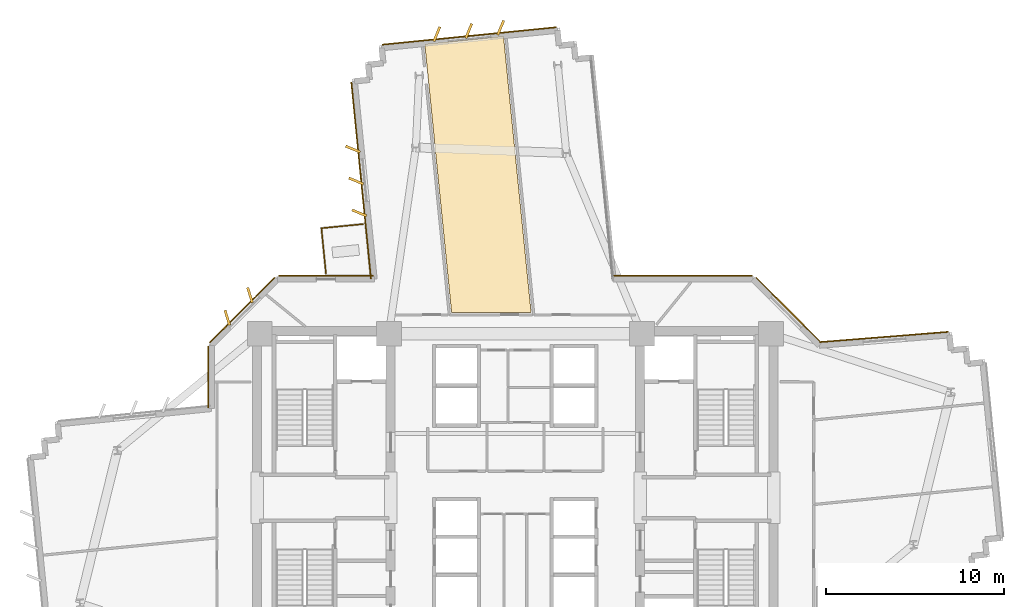
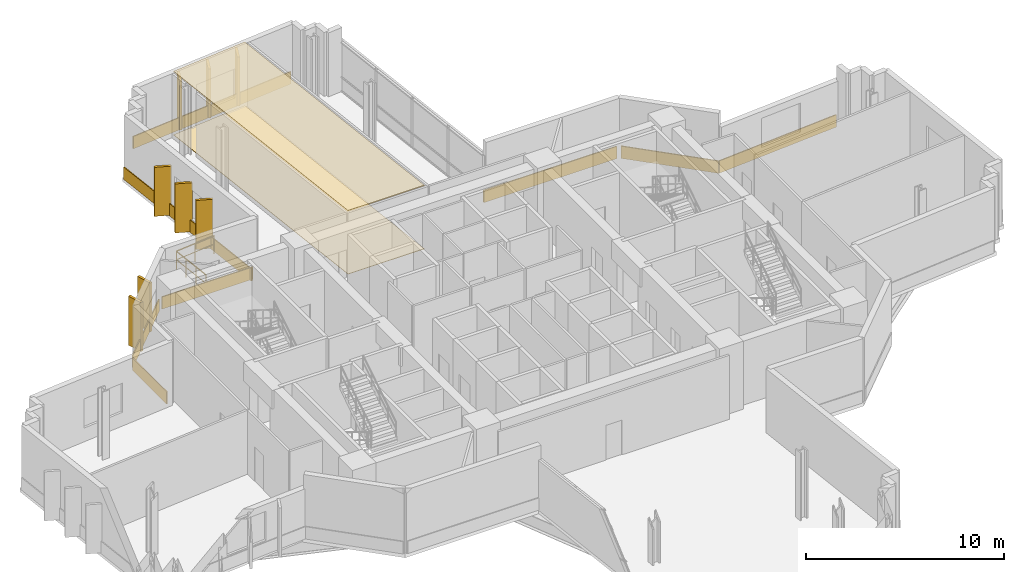
# One storey, part 14 of 14: 18 coverings, 2 railings.
"""IFC4 building model written with IfcOpenShell, lengths in metres."""

from ifc_helpers import new_model, si_unit, direction, frame, origin, origin_2d, place, context, subcontext, project, spatial, polyline, rectangle, outline, extrude, source, transform, mapped, material, layer, layer_set, type_object, element, save


model = new_model("IFC4")

# Units and contexts
model_context = context("Model", 3, precision=1e-05, world=origin(), true_north=direction((0.0, 1.0)))
body_context = subcontext(model_context, "Body", "Model", "MODEL_VIEW")
ifc_project = project(units=[si_unit("LENGTHUNIT", "METRE"), si_unit("AREAUNIT", "SQUARE_METRE"), si_unit("VOLUMEUNIT", "CUBIC_METRE"), si_unit("PLANEANGLEUNIT", "RADIAN"), si_unit("MASSUNIT", "GRAM", prefix="KILO")], contexts=[model_context])

# Site, building, storey
site_placement = place(None, origin())
site = spatial("IfcSite", under=ifc_project, at=site_placement, CompositionType="ELEMENT")
building_placement = place(site_placement, origin())
building = spatial("IfcBuilding", under=site, at=building_placement, Name="Zahravan Cultural Tower", CompositionType="ELEMENT")
storey_placement = place(building_placement, frame((0.0, 0.0, 92.10009765625)))
storey = spatial("IfcBuildingStorey", under=building, at=storey_placement, Name="L20", CompositionType="ELEMENT", Elevation=92.10009765625)

# Coverings
ifc_material_1 = material(Name="Acoustic mineral fibreboard")
ifc_layer_1 = layer(ifc_material_1, 0.0400390625)
ifc_layer_set_1 = layer_set([ifc_layer_1], Name="Acoustic mineral fibreboard")
covering_type_1 = type_object("IfcCoveringType", Name="COV-CEIL-AC20", PredefinedType="CEILING", material=ifc_layer_set_1)
covering_1_placement = place(storey_placement, frame((0.0, 0.0, 3.909912109375)))
element("IfcCovering", 1, at=covering_1_placement, inside=storey, type_object=covering_type_1, Name="L20 Acoustic Suspended Ceiling", PredefinedType="CEILING", context=body_context, shape_type="SweptSolid", body=[
    extrude(outline(polyline([(30.916015625, 52.4609375), (32.41943359375, 37.39990234375), (36.88134765625, 37.39990234375), (35.333984375, 52.90185546875), (30.916015625, 52.4609375)])), origin(), (0.0, 0.0, 1.0), 0.0400390625),
])
ifc_material_2 = material(Name="Terrazzo flooring")
ifc_layer_2 = layer(ifc_material_2, 0.02490234375)
ifc_layer_set_2 = layer_set([ifc_layer_2], Name="Terrazzo flooring")
covering_type_2 = type_object("IfcCoveringType", Name="COV-FLR-TZ25", PredefinedType="FLOORING", material=ifc_layer_set_2)
covering_2_placement = place(storey_placement, origin())
element("IfcCovering", 2, at=covering_2_placement, inside=storey, type_object=covering_type_2, Name="L20 Polished Terrazzo Flooring", PredefinedType="FLOORING", context=body_context, shape_type="SweptSolid", body=[
    extrude(outline(polyline([(30.916015625, 52.4609375), (32.41943359375, 37.39990234375), (36.88134765625, 37.39990234375), (35.333984375, 52.90185546875), (30.916015625, 52.4609375)])), origin(), (0.0, 0.0, 1.0), 0.02490234375),
])

# Railings
ifc_material_3 = material(Name="Steel ASTM A572 Grade 50", Category="steel")
railing_type = type_object("IfcRailingType", Name="RL-BAL-1150", PredefinedType="BALUSTRADE", material=ifc_material_3)
railing_1_placement = place(storey_placement, frame((25.114013671875, 42.12353515625, 0.0)))
element("IfcRailing", 3, at=railing_1_placement, inside=storey, type_object=railing_type, Name="L20 Edge Balustrade GRD-TR-L20-NW-01", PredefinedType="BALUSTRADE", context=body_context, shape_type="SweptSolid", body=[
    extrude(rectangle(XDim=0.05, YDim=0.05, at=origin_2d()), frame((0.0, 0.0, 1.125), z_axis=(0.995055687983, 0.099318567312, 0.0), x_axis=(-0.099318567312, 0.995055687983, 0.0)), (0.0, 0.0, 1.0), 2.35009765625),
    extrude(rectangle(XDim=0.032, YDim=0.032, at=origin_2d()), frame((0.0, 0.0, 0.597900390625), z_axis=(0.995055687983, 0.099318567312, 0.0), x_axis=(-0.099318567312, 0.995055687983, 0.0)), (0.0, 0.0, 1.0), 2.35009765625),
    extrude(rectangle(XDim=0.04, YDim=0.04, at=origin_2d()), origin(), (0.0, 0.0, 1.0), 1.14990234375),
    extrude(rectangle(XDim=0.04, YDim=0.04, at=origin_2d()), frame((1.169189453125, 0.11669921875, 0.0)), (0.0, 0.0, 1.0), 1.14990234375),
    extrude(rectangle(XDim=0.04, YDim=0.04, at=origin_2d()), frame((2.33837890625, 0.2333984375, 0.0)), (0.0, 0.0, 1.0), 1.14990234375),
])
railing_2_placement = place(storey_placement, frame((25.367919921875, 39.580078125, 0.0)))
element("IfcRailing", 4, at=railing_2_placement, inside=storey, type_object=railing_type, Name="L20 Edge Balustrade GRD-TR-L20-NW-02", PredefinedType="BALUSTRADE", context=body_context, shape_type="SweptSolid", body=[
    extrude(rectangle(XDim=0.05, YDim=0.05, at=origin_2d()), frame((0.0, 0.0, 1.125), z_axis=(-0.099333496417, 0.995054197765, 0.0), x_axis=(-0.995054197765, -0.099333496417, 0.0)), (0.0, 0.0, 1.0), 2.55615234375),
    extrude(rectangle(XDim=0.032, YDim=0.032, at=origin_2d()), frame((0.0, 0.0, 0.597900390625), z_axis=(-0.099333496417, 0.995054197765, 0.0), x_axis=(-0.995054197765, -0.099333496417, 0.0)), (0.0, 0.0, 1.0), 2.55615234375),
    extrude(rectangle(XDim=0.04, YDim=0.04, at=origin_2d()), origin(), (0.0, 0.0, 1.0), 1.14990234375),
    extrude(rectangle(XDim=0.04, YDim=0.04, at=origin_2d()), frame((-0.084716796875, 0.847900390625, 0.0)), (0.0, 0.0, 1.0), 1.14990234375),
    extrude(rectangle(XDim=0.04, YDim=0.04, at=origin_2d()), frame((-0.169189453125, 1.695556640625, 0.0)), (0.0, 0.0, 1.0), 1.14990234375),
    extrude(rectangle(XDim=0.04, YDim=0.04, at=origin_2d()), frame((-0.25390625, 2.54345703125, 0.0)), (0.0, 0.0, 1.0), 1.14990234375),
])

# Coverings
ifc_material_4 = material(Name="Terracotta ceramic cladding", Category="masonry")
ifc_layer_3 = layer(ifc_material_4, 0.06005859375)
ifc_layer_set_3 = layer_set([ifc_layer_3], Name="Terracotta ceramic cladding")
covering_type_3 = type_object("IfcCoveringType", Name="COV-CLAD-TC60", PredefinedType="CLADDING", material=ifc_layer_set_3)
shared_shape_1 = source(origin(), body_context, "Body", "SweptSolid", [
    extrude(rectangle(XDim=9.820068359375, YDim=0.06005859375, at=origin_2d()), origin(), (0.0, 0.0, 1.0), 0.760009765625),
])
covering_3_placement = place(storey_placement, frame((33.4130859375, 52.916259765625, 0.02001953125), z_axis=(0.0, 0.0, 1.0), x_axis=(0.995055569961, 0.099319749744, 0.0)))
element("IfcCovering", 5, at=covering_3_placement, inside=storey, type_object=covering_type_3, Name="L20 Terracotta Spandrel Cladding 20", PredefinedType="CLADDING", context=body_context, shape_type="MappedRepresentation", body=[
    mapped(shared_shape_1, transform((0.0, 0.0, 0.0), x_axis=(1.0, 0.0, 0.0), y_axis=(0.0, 1.0, 0.0), z_axis=(0.0, 0.0, 1.0), scale=1.0)),
])
shared_shape_2 = source(origin(), body_context, "Body", "SweptSolid", [
    extrude(rectangle(XDim=5.157958984375, YDim=0.06005859375, at=origin_2d()), origin(), (0.0, 0.0, 1.0), 0.760009765625),
])
for number, where, z_axis, x_axis, name in (
    (6, (20.668212890625, 37.53173828125, 0.02001953125), (0.0, 0.0, 1.0), (0.707106781187, 0.707106781187, 0.0), "L20 Terracotta Spandrel Cladding 13"),
    (7, (51.331787109375, 37.53173828125, 0.02001953125), (0.0, 0.0, 1.0), (0.707106781187, -0.707106781187, 0.0), "L20 Terracotta Spandrel Cladding 26"),
):
    element("IfcCovering", number, at=place(storey_placement, frame(where, z_axis=z_axis, x_axis=x_axis)), inside=storey, type_object=covering_type_3, Name=name, PredefinedType="CLADDING", context=body_context, shape_type="MappedRepresentation", body=[
        mapped(shared_shape_2, transform((0.0, 0.0, 0.0), x_axis=(1.0, 0.0, 0.0), y_axis=(0.0, 1.0, 0.0), z_axis=(0.0, 0.0, 1.0), scale=1.0)),
    ])
shared_shape_3 = source(origin(), body_context, "Body", "SweptSolid", [
    extrude(rectangle(XDim=0.8798828125, YDim=0.139892578125, at=origin_2d()), origin(), (0.0, 0.0, 1.0), 3.030029296875),
])
for number, where, z_axis, x_axis, name in (
    (8, (19.830322265625, 37.096923828125, 0.0498046875), (0.0, 0.0, 1.0), (-0.292371704723, 0.956304755963, 0.0), "L20 Herringbone Terracotta Fin 10"),
    (9, (21.10302734375, 38.36962890625, 0.0498046875), (0.0, 0.0, 1.0), (-0.292371704723, 0.956304755963, 0.0), "L20 Herringbone Terracotta Fin 11"),
    (10, (27.239501953125, 42.981689453125, 0.0498046875), (0.0, 0.0, 1.0), (-0.925209718386, 0.379456159529, 0.0), "L20 Herringbone Terracotta Fin 12"),
    (11, (27.060546875, 44.77294921875, 0.0498046875), (0.0, 0.0, 1.0), (-0.925209718386, 0.379456159529, 0.0), "L20 Herringbone Terracotta Fin 13"),
    (12, (26.8818359375, 46.56396484375, 0.0498046875), (0.0, 0.0, 1.0), (-0.925209718386, 0.379456159529, 0.0), "L20 Herringbone Terracotta Fin 14"),
    (13, (31.59375, 53.02099609375, 0.0498046875), (0.0, 0.0, 1.0), (0.379456159529, 0.925209718386, 0.0), "L20 Herringbone Terracotta Fin 15"),
    (14, (33.385009765625, 53.19970703125, 0.0498046875), (0.0, 0.0, 1.0), (0.379456159529, 0.925209718386, 0.0), "L20 Herringbone Terracotta Fin 16"),
    (15, (35.176025390625, 53.378662109375, 0.0498046875), (0.0, 0.0, 1.0), (0.379456159529, 0.925209718386, 0.0), "L20 Herringbone Terracotta Fin 17"),
):
    element("IfcCovering", number, at=place(storey_placement, frame(where, z_axis=z_axis, x_axis=x_axis)), inside=storey, type_object=covering_type_3, Name=name, PredefinedType="CLADDING", context=body_context, shape_type="MappedRepresentation", body=[
        mapped(shared_shape_3, transform((0.0, 0.0, 0.0), x_axis=(1.0, 0.0, 0.0), y_axis=(0.0, 1.0, 0.0), z_axis=(0.0, 0.0, 1.0), scale=1.0)),
    ])
shared_shape_4 = source(origin(), body_context, "Body", "SweptSolid", [
    extrude(rectangle(XDim=7.2373046875, YDim=0.06005859375, at=origin_2d()), origin(), (0.0, 0.0, 1.0), 0.760009765625),
])
covering_4_placement = place(storey_placement, frame((56.702392578125, 36.018310546875, 0.02001953125), z_axis=(0.0, 0.0, 1.0), x_axis=(0.996827683211, 0.079590011836, 0.0)))
element("IfcCovering", 16, at=covering_4_placement, inside=storey, type_object=covering_type_3, Name="L20 Terracotta Spandrel Cladding 27", PredefinedType="CLADDING", context=body_context, shape_type="MappedRepresentation", body=[
    mapped(shared_shape_4, transform((0.0, 0.0, 0.0), x_axis=(1.0, 0.0, 0.0), y_axis=(0.0, 1.0, 0.0), z_axis=(0.0, 0.0, 1.0), scale=1.0)),
])
shared_shape_5 = source(origin(), body_context, "Body", "SweptSolid", [
    extrude(rectangle(XDim=3.45166015625, YDim=0.06005859375, at=origin_2d()), origin(), (0.0, 0.0, 1.0), 0.760009765625),
])
covering_5_placement = place(storey_placement, frame((18.7548828125, 33.76611328125, 0.02001953125), z_axis=(0.0, 0.0, 1.0), x_axis=(0.0, 1.0, 0.0)))
element("IfcCovering", 17, at=covering_5_placement, inside=storey, type_object=covering_type_3, Name="L20 Terracotta Spandrel Cladding 12", PredefinedType="CLADDING", context=body_context, shape_type="MappedRepresentation", body=[
    mapped(shared_shape_5, transform((0.0, 0.0, 0.0), x_axis=(1.0, 0.0, 0.0), y_axis=(0.0, 1.0, 0.0), z_axis=(0.0, 0.0, 1.0), scale=1.0)),
])
shared_shape_6 = source(origin(), body_context, "Body", "SweptSolid", [
    extrude(rectangle(XDim=5.3251953125, YDim=0.06005859375, at=origin_2d()), origin(), (0.0, 0.0, 1.0), 0.760009765625),
])
covering_6_placement = place(storey_placement, frame((25.37060546875, 39.445068359375, 0.02001953125), z_axis=(0.0, 0.0, 1.0), x_axis=(1.0, 0.0, 0.0)))
element("IfcCovering", 18, at=covering_6_placement, inside=storey, type_object=covering_type_3, Name="L20 Terracotta Spandrel Cladding 14", PredefinedType="CLADDING", context=body_context, shape_type="MappedRepresentation", body=[
    mapped(shared_shape_6, transform((0.0, 0.0, 0.0), x_axis=(1.0, 0.0, 0.0), y_axis=(0.0, 1.0, 0.0), z_axis=(0.0, 0.0, 1.0), scale=1.0)),
])
shared_shape_7 = source(origin(), body_context, "Body", "SweptSolid", [
    extrude(rectangle(XDim=11.07421875, YDim=0.06005859375, at=origin_2d()), origin(), (0.0, 0.0, 1.0), 0.760009765625),
])
covering_7_placement = place(storey_placement, frame((27.34423828125, 44.80126953125, 0.02001953125), z_axis=(0.0, 0.0, 1.0), x_axis=(-0.099319749744, 0.995055569961, 0.0)))
element("IfcCovering", 19, at=covering_7_placement, inside=storey, type_object=covering_type_3, Name="L20 Terracotta Spandrel Cladding 15", PredefinedType="CLADDING", context=body_context, shape_type="MappedRepresentation", body=[
    mapped(shared_shape_7, transform((0.0, 0.0, 0.0), x_axis=(1.0, 0.0, 0.0), y_axis=(0.0, 1.0, 0.0), z_axis=(0.0, 0.0, 1.0), scale=1.0)),
])
shared_shape_8 = source(origin(), body_context, "Body", "SweptSolid", [
    extrude(rectangle(XDim=7.772705078125, YDim=0.06005859375, at=origin_2d()), origin(), (0.0, 0.0, 1.0), 0.760009765625),
])
covering_8_placement = place(storey_placement, frame((45.40576171875, 39.445068359375, 0.02001953125), z_axis=(0.0, 0.0, 1.0), x_axis=(1.0, 0.0, 0.0)))
element("IfcCovering", 20, at=covering_8_placement, inside=storey, type_object=covering_type_3, Name="L20 Terracotta Spandrel Cladding 25", PredefinedType="CLADDING", context=body_context, shape_type="MappedRepresentation", body=[
    mapped(shared_shape_8, transform((0.0, 0.0, 0.0), x_axis=(1.0, 0.0, 0.0), y_axis=(0.0, 1.0, 0.0), z_axis=(0.0, 0.0, 1.0), scale=1.0)),
])

save(model, "model.ifc")
